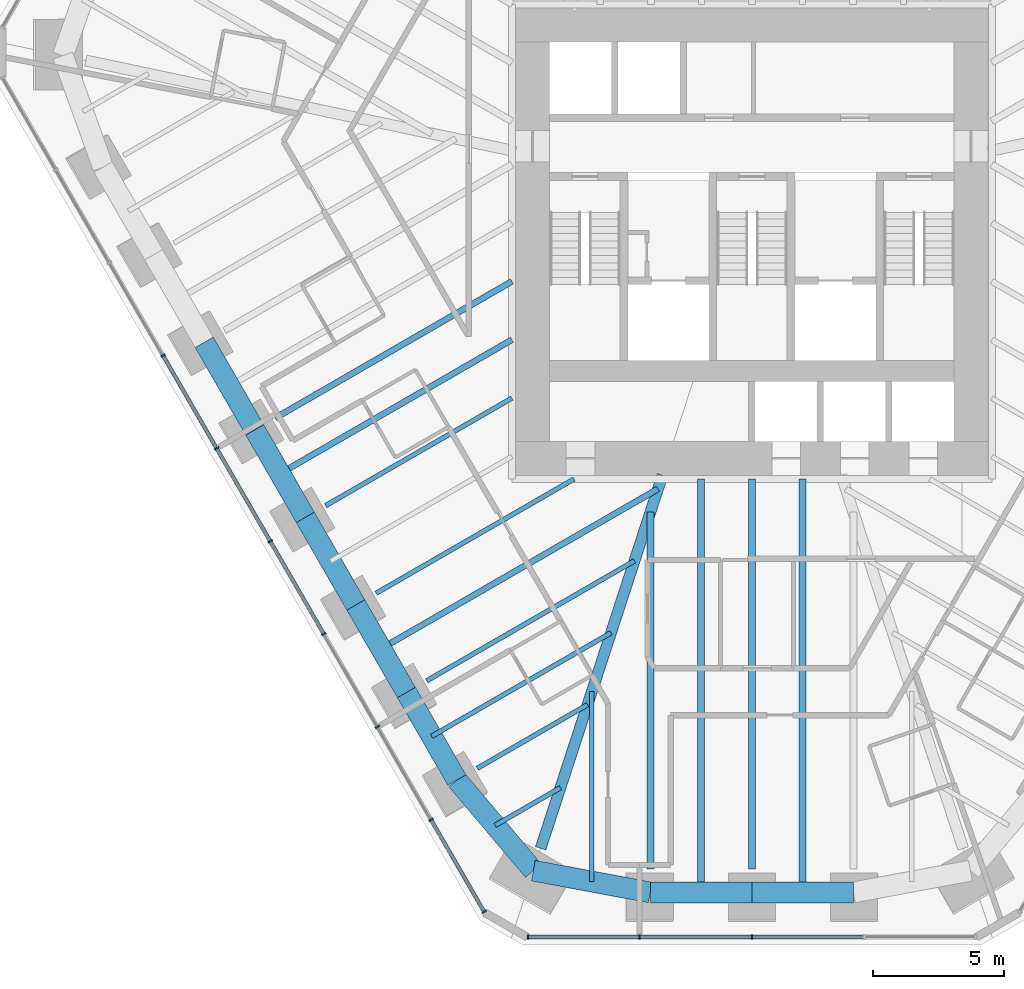
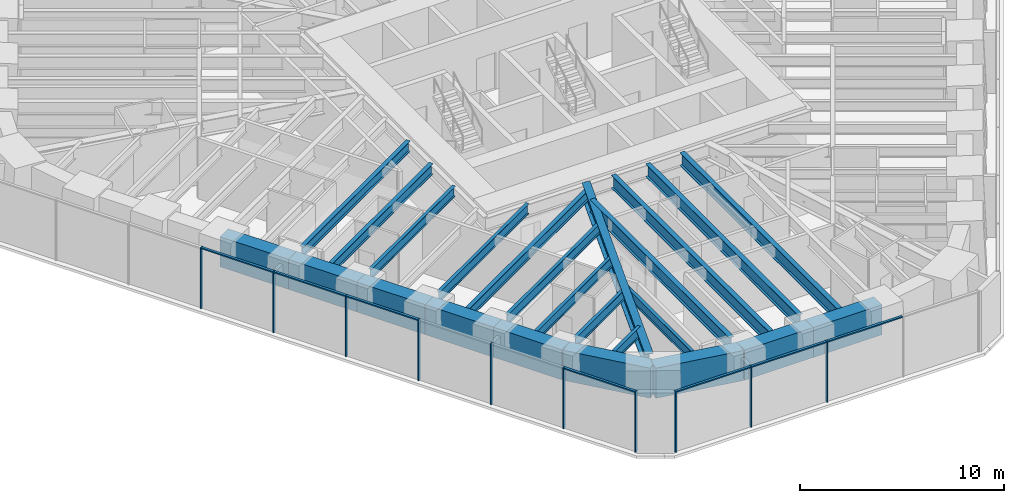
# One storey, part 2 of 18: 24 beams, 17 members, 2 elements without a shape of their own.
"""IFC4 building model written with IfcOpenShell, lengths in metres."""

from ifc_helpers import new_model, si_unit, direction, frame, origin, origin_2d, place, context, subcontext, project, spatial, rectangle, i_section, extrude, material, material_profile, profile_set, type_object, element, aggregate, save


model = new_model("IFC4")

# Units and contexts
model_context = context("Model", 3, precision=1e-05, world=origin(), true_north=direction((0.0, 1.0)))
body_context = subcontext(model_context, "Body", "Model", "MODEL_VIEW")
ifc_project = project(units=[si_unit("LENGTHUNIT", "METRE"), si_unit("AREAUNIT", "SQUARE_METRE"), si_unit("VOLUMEUNIT", "CUBIC_METRE"), si_unit("PLANEANGLEUNIT", "RADIAN"), si_unit("MASSUNIT", "GRAM", prefix="KILO")], contexts=[model_context])

# Site, building, storey
site_placement = place(None, origin())
site = spatial("IfcSite", under=ifc_project, at=site_placement, CompositionType="ELEMENT")
building_placement = place(site_placement, origin())
building = spatial("IfcBuilding", under=site, at=building_placement, Name="Sandreach Pilgrim Tower", CompositionType="ELEMENT")
storey_placement = place(building_placement, frame((0.0, 0.0, 153.800048828125)))
storey = spatial("IfcBuildingStorey", under=building, at=storey_placement, Name="L38", CompositionType="ELEMENT", Elevation=153.800048828125)

# Curtain wall, members
ifc_material_1 = material(Name="Aluminium framed curtain wall", Category="aluminium")
curtain_wall_type = type_object("IfcCurtainWallType", Name="Hotel tower curtain wall", PredefinedType="NOTDEFINED", material=ifc_material_1)
curtain_wall_1_placement = place(storey_placement, origin())
curtain_wall_1 = element("IfcCurtainWall", 1, at=curtain_wall_1_placement, inside=storey, type_object=curtain_wall_type, Name="CW-2 L38 S", PredefinedType="NOTDEFINED")
ifc_material_2 = material(Name="Aluminium extrusion", Category="aluminium")
ifc_material_profile_1 = material_profile(ifc_material_2, rectangle(XDim=0.06494140625, YDim=0.179931640625, at=origin_2d()), Name="CW-2M 65X180")
ifc_profile_set_1 = profile_set([ifc_material_profile_1], Name="Aluminium extrusion")
member_type_1 = type_object("IfcMemberType", Name="CW-2 mullion", PredefinedType="MULLION", material=ifc_profile_set_1)
member_1_placement = place(storey_placement, frame((0.0, -28.192138671875, 0.0), z_axis=(0.0, 0.0, 1.0), x_axis=(-1.0, 0.0, 0.0)))
member_1 = element("IfcMember", 2, at=member_1_placement, type_object=member_type_1, Name="CW-2 mullion 3", PredefinedType="MULLION", context=body_context, shape_type="SweptSolid", body=[
    extrude(rectangle(XDim=0.06494140625, YDim=0.179931640625, at=origin_2d()), origin(), (0.0, 0.0, 1.0), 3.639892578125),
])
member_2_placement = place(storey_placement, frame((-4.3056640625, -28.192138671875, 0.0), z_axis=(0.0, 0.0, 1.0), x_axis=(-1.0, 0.0, 0.0)))
member_2 = element("IfcMember", 3, at=member_2_placement, type_object=member_type_1, Name="CW-2 mullion 4", PredefinedType="MULLION", context=body_context, shape_type="SweptSolid", body=[
    extrude(rectangle(XDim=0.06494140625, YDim=0.179931640625, at=origin_2d()), origin(), (0.0, 0.0, 1.0), 3.639892578125),
])
member_3_placement = place(storey_placement, frame((-8.578857421875, -28.192138671875, 0.0), z_axis=(0.0, 0.0, 1.0), x_axis=(-1.0, 0.0, 0.0)))
member_3 = element("IfcMember", 4, at=member_3_placement, type_object=member_type_1, Name="CW-2 mullion 5", PredefinedType="MULLION", context=body_context, shape_type="SweptSolid", body=[
    extrude(rectangle(XDim=0.06494140625, YDim=0.179931640625, at=origin_2d()), origin(), (0.0, 0.0, 1.0), 3.639892578125),
])

curtain_wall_2_placement = place(storey_placement, origin())
curtain_wall_2 = element("IfcCurtainWall", 5, at=curtain_wall_2_placement, inside=storey, type_object=curtain_wall_type, Name="CW-2 L38 SW", PredefinedType="NOTDEFINED")
member_4_placement = place(storey_placement, frame((-10.255859375, -27.22412109375, 0.0), z_axis=(0.0, 0.0, 1.0), x_axis=(-0.5, 0.866025403784, 0.0)))
member_4 = element("IfcMember", 6, at=member_4_placement, type_object=member_type_1, Name="CW-2 mullion 1", PredefinedType="MULLION", context=body_context, shape_type="SweptSolid", body=[
    extrude(rectangle(XDim=0.06494140625, YDim=0.179931640625, at=origin_2d()), origin(), (0.0, 0.0, 1.0), 3.639892578125),
])
member_5_placement = place(storey_placement, frame((-12.29296875, -23.695556640625, 0.0), z_axis=(0.0, 0.0, 1.0), x_axis=(-0.5, 0.866025403784, 0.0)))
member_5 = element("IfcMember", 7, at=member_5_placement, type_object=member_type_1, Name="CW-2 mullion 2", PredefinedType="MULLION", context=body_context, shape_type="SweptSolid", body=[
    extrude(rectangle(XDim=0.06494140625, YDim=0.179931640625, at=origin_2d()), origin(), (0.0, 0.0, 1.0), 3.639892578125),
])
member_6_placement = place(storey_placement, frame((-14.346435546875, -20.138671875, 0.0), z_axis=(0.0, 0.0, 1.0), x_axis=(-0.5, 0.866025403784, 0.0)))
member_6 = element("IfcMember", 8, at=member_6_placement, type_object=member_type_1, Name="CW-2 mullion 3", PredefinedType="MULLION", context=body_context, shape_type="SweptSolid", body=[
    extrude(rectangle(XDim=0.06494140625, YDim=0.179931640625, at=origin_2d()), origin(), (0.0, 0.0, 1.0), 3.639892578125),
])
member_7_placement = place(storey_placement, frame((-16.39990234375, -16.58203125, 0.0), z_axis=(0.0, 0.0, 1.0), x_axis=(-0.5, 0.866025403784, 0.0)))
member_7 = element("IfcMember", 9, at=member_7_placement, type_object=member_type_1, Name="CW-2 mullion 4", PredefinedType="MULLION", context=body_context, shape_type="SweptSolid", body=[
    extrude(rectangle(XDim=0.06494140625, YDim=0.179931640625, at=origin_2d()), origin(), (0.0, 0.0, 1.0), 3.639892578125),
])
member_8_placement = place(storey_placement, frame((-18.453369140625, -13.025146484375, 0.0), z_axis=(0.0, 0.0, 1.0), x_axis=(-0.5, 0.866025403784, 0.0)))
member_8 = element("IfcMember", 10, at=member_8_placement, type_object=member_type_1, Name="CW-2 mullion 5", PredefinedType="MULLION", context=body_context, shape_type="SweptSolid", body=[
    extrude(rectangle(XDim=0.06494140625, YDim=0.179931640625, at=origin_2d()), origin(), (0.0, 0.0, 1.0), 3.639892578125),
])
member_9_placement = place(storey_placement, frame((-20.5068359375, -9.468505859375, 0.0), z_axis=(0.0, 0.0, 1.0), x_axis=(-0.5, 0.866025403784, 0.0)))
member_9 = element("IfcMember", 11, at=member_9_placement, type_object=member_type_1, Name="CW-2 mullion 6", PredefinedType="MULLION", context=body_context, shape_type="SweptSolid", body=[
    extrude(rectangle(XDim=0.06494140625, YDim=0.179931640625, at=origin_2d()), origin(), (0.0, 0.0, 1.0), 3.639892578125),
])
member_10_placement = place(storey_placement, frame((-22.560302734375, -5.911865234375, 0.0), z_axis=(0.0, 0.0, 1.0), x_axis=(-0.5, 0.866025403784, 0.0)))
member_10 = element("IfcMember", 12, at=member_10_placement, type_object=member_type_1, Name="CW-2 mullion 7", PredefinedType="MULLION", context=body_context, shape_type="SweptSolid", body=[
    extrude(rectangle(XDim=0.06494140625, YDim=0.179931640625, at=origin_2d()), origin(), (0.0, 0.0, 1.0), 3.639892578125),
])

# Member
ifc_material_3 = material(Name="Aluminium extrusion", Category="aluminium")
ifc_material_profile_2 = material_profile(ifc_material_3, rectangle(XDim=0.139892578125, YDim=0.070068359375, at=origin_2d()), Name="CW-2T 140X70")
ifc_profile_set_2 = profile_set([ifc_material_profile_2], Name="Aluminium extrusion")
member_type_2 = type_object("IfcMemberType", Name="CW-2 transom", PredefinedType="USERDEFINED", material=ifc_profile_set_2)
member_11_placement = place(storey_placement, frame((4.273193359375, -28.192138671875, 3.60498046875), z_axis=(-1.0, 0.0, 0.0), x_axis=(0.0, -1.0, 0.0)))
member_11 = element("IfcMember", 13, at=member_11_placement, type_object=member_type_2, Name="CW-2 head transom 2", ObjectType="TRANSOM", PredefinedType="USERDEFINED", context=body_context, shape_type="SweptSolid", body=[
    extrude(rectangle(XDim=0.139892578125, YDim=0.070068359375, at=origin_2d()), origin(), (0.0, 0.0, 1.0), 4.24072265625),
])

member_12_placement = place(storey_placement, frame((-0.032470703125, -28.192138671875, 3.60498046875), z_axis=(-1.0, 0.0, 0.0), x_axis=(0.0, -1.0, 0.0)))
member_12 = element("IfcMember", 14, at=member_12_placement, type_object=member_type_2, Name="CW-2 head transom 3", ObjectType="TRANSOM", PredefinedType="USERDEFINED", context=body_context, shape_type="SweptSolid", body=[
    extrude(rectangle(XDim=0.139892578125, YDim=0.070068359375, at=origin_2d()), origin(), (0.0, 0.0, 1.0), 4.24072265625),
])

member_13_placement = place(storey_placement, frame((-4.338134765625, -28.192138671875, 3.60498046875), z_axis=(-1.0, 0.0, 0.0), x_axis=(0.0, -1.0, 0.0)))
member_13 = element("IfcMember", 15, at=member_13_placement, type_object=member_type_2, Name="CW-2 head transom 4", ObjectType="TRANSOM", PredefinedType="USERDEFINED", context=body_context, shape_type="SweptSolid", body=[
    extrude(rectangle(XDim=0.139892578125, YDim=0.070068359375, at=origin_2d()), origin(), (0.0, 0.0, 1.0), 4.208251953125),
])

aggregate(curtain_wall_1, [member_1, member_2, member_3, member_11, member_12, member_13])

member_14_placement = place(storey_placement, frame((-10.27197265625, -27.196044921875, 3.60498046875), z_axis=(-0.500015851672, 0.866016251624, 0.0), x_axis=(-0.866016251624, -0.500015851672, 0.0)))
member_14 = element("IfcMember", 16, at=member_14_placement, type_object=member_type_2, Name="CW-2 head transom 1", ObjectType="TRANSOM", PredefinedType="USERDEFINED", context=body_context, shape_type="SweptSolid", body=[
    extrude(rectangle(XDim=0.139892578125, YDim=0.070068359375, at=origin_2d()), origin(), (0.0, 0.0, 1.0), 4.009521484375),
])

member_15_placement = place(storey_placement, frame((-16.416259765625, -16.553955078125, 3.60498046875), z_axis=(-0.499997818338, 0.866026663364, 0.0), x_axis=(-0.866026663364, -0.499997818338, 0.0)))
member_15 = element("IfcMember", 17, at=member_15_placement, type_object=member_type_2, Name="CW-2 head transom 4", ObjectType="TRANSOM", PredefinedType="USERDEFINED", context=body_context, shape_type="SweptSolid", body=[
    extrude(rectangle(XDim=0.139892578125, YDim=0.070068359375, at=origin_2d()), origin(), (0.0, 0.0, 1.0), 4.0419921875),
])

member_16_placement = place(storey_placement, frame((-18.4697265625, -12.9970703125, 3.60498046875), z_axis=(-0.499997818338, 0.866026663364, 0.0), x_axis=(-0.866026663364, -0.499997818338, 0.0)))
member_16 = element("IfcMember", 18, at=member_16_placement, type_object=member_type_2, Name="CW-2 head transom 5", ObjectType="TRANSOM", PredefinedType="USERDEFINED", context=body_context, shape_type="SweptSolid", body=[
    extrude(rectangle(XDim=0.139892578125, YDim=0.070068359375, at=origin_2d()), origin(), (0.0, 0.0, 1.0), 4.0419921875),
])

member_17_placement = place(storey_placement, frame((-20.523193359375, -9.4404296875, 3.60498046875), z_axis=(-0.499997818338, 0.866026663364, 0.0), x_axis=(-0.866026663364, -0.499997818338, 0.0)))
member_17 = element("IfcMember", 19, at=member_17_placement, type_object=member_type_2, Name="CW-2 head transom 6", ObjectType="TRANSOM", PredefinedType="USERDEFINED", context=body_context, shape_type="SweptSolid", body=[
    extrude(rectangle(XDim=0.139892578125, YDim=0.070068359375, at=origin_2d()), origin(), (0.0, 0.0, 1.0), 4.0419921875),
])

aggregate(curtain_wall_2, [member_4, member_5, member_6, member_7, member_8, member_9, member_10, member_14, member_15, member_16, member_17])

# Beams
ifc_material_4 = material(Name="Steel ASTM A992 Grade 50", Category="steel")
ifc_material_profile_3 = material_profile(ifc_material_4, i_section(OverallWidth=0.419189453125, OverallDepth=0.927001953125, WebThickness=0.019287109375, FlangeThickness=0.031982421875, at=origin_2d()), Name="W36X231")
ifc_profile_set_3 = profile_set([ifc_material_profile_3], Name="Steel ASTM A992 Grade 50")
beam_type_1 = type_object("IfcBeamType", Name="Corner girder W36X231", PredefinedType="BEAM", material=ifc_profile_set_3)
beam_1_placement = place(storey_placement, frame((-8.09326171875, -24.79345703125, 3.176513671875), z_axis=(0.31031284441, 0.950634492639, 0.0), x_axis=(-0.950634492639, 0.31031284441, 0.0)))
element("IfcBeam", 20, at=beam_1_placement, inside=storey, type_object=beam_type_1, Name="BM L38 CG26", PredefinedType="BEAM", context=body_context, shape_type="SweptSolid", body=[
    extrude(i_section(OverallWidth=0.419189453125, OverallDepth=0.927001953125, WebThickness=0.019287109375, FlangeThickness=0.031982421875, at=origin_2d()), origin(), (0.0, 0.0, 1.0), 15.03564453125),
])
ifc_material_5 = material(Name="Steel ASTM A992 Grade 50", Category="steel")
ifc_material_profile_4 = material_profile(ifc_material_5, i_section(OverallWidth=0.1787109375, OverallDepth=0.60205078125, WebThickness=0.010986328125, FlangeThickness=0.014892578125, at=origin_2d()), Name="W24X62")
ifc_profile_set_4 = profile_set([ifc_material_profile_4], Name="Steel ASTM A992 Grade 50")
beam_type_2 = type_object("IfcBeamType", Name="Floor beam W24X62", PredefinedType="BEAM", material=ifc_profile_set_4)
beam_2_placement = place(storey_placement, frame((-10.52001953125, -21.727294921875, 3.3388671875), z_axis=(0.86602886455, 0.49999400573, 0.0), x_axis=(-0.49999400573, 0.86602886455, 0.0)))
element("IfcBeam", 21, at=beam_2_placement, inside=storey, type_object=beam_type_2, Name="BM L38 F27", PredefinedType="BEAM", context=body_context, shape_type="SweptSolid", body=[
    extrude(i_section(OverallWidth=0.1787109375, OverallDepth=0.60205078125, WebThickness=0.010986328125, FlangeThickness=0.014892578125, at=origin_2d()), origin(), (0.0, 0.0, 1.0), 4.876953125),
])
beam_3_placement = place(storey_placement, frame((-12.456787109375, -18.373046875, 3.3388671875), z_axis=(0.866034300541, 0.499984590049, 0.0), x_axis=(-0.499984590049, 0.866034300541, 0.0)))
element("IfcBeam", 22, at=beam_3_placement, inside=storey, type_object=beam_type_2, Name="BM L38 F28", PredefinedType="BEAM", context=body_context, shape_type="SweptSolid", body=[
    extrude(i_section(OverallWidth=0.1787109375, OverallDepth=0.60205078125, WebThickness=0.010986328125, FlangeThickness=0.014892578125, at=origin_2d()), origin(), (0.0, 0.0, 1.0), 9.190673828125),
])
beam_4_placement = place(storey_placement, frame((-14.393310546875, -15.018798828125, 3.3388671875), z_axis=(0.866019722239, 0.500009840597, 0.0), x_axis=(-0.500009840597, 0.866019722239, 0.0)))
element("IfcBeam", 23, at=beam_4_placement, inside=storey, type_object=beam_type_2, Name="BM L38 F29", PredefinedType="BEAM", context=body_context, shape_type="SweptSolid", body=[
    extrude(i_section(OverallWidth=0.1787109375, OverallDepth=0.60205078125, WebThickness=0.010986328125, FlangeThickness=0.014892578125, at=origin_2d()), origin(), (0.0, 0.0, 1.0), 8.750732421875),
])
beam_5_placement = place(storey_placement, frame((-16.330078125, -11.664306640625, 3.3388671875), z_axis=(0.866026725994, 0.499997709859, 0.0), x_axis=(-0.499997709859, 0.866026725994, 0.0)))
element("IfcBeam", 24, at=beam_5_placement, inside=storey, type_object=beam_type_2, Name="BM L38 F30", PredefinedType="BEAM", context=body_context, shape_type="SweptSolid", body=[
    extrude(i_section(OverallWidth=0.1787109375, OverallDepth=0.60205078125, WebThickness=0.010986328125, FlangeThickness=0.014892578125, at=origin_2d()), origin(), (0.0, 0.0, 1.0), 8.24072265625),
])
beam_6_placement = place(storey_placement, frame((-6.130859375, -26.06591796875, 3.3388671875), z_axis=(0.0, 1.0, 0.0), x_axis=(-1.0, 0.0, 0.0)))
element("IfcBeam", 25, at=beam_6_placement, inside=storey, type_object=beam_type_2, Name="BM L38 FM25", PredefinedType="BEAM", context=body_context, shape_type="SweptSolid", body=[
    extrude(i_section(OverallWidth=0.1787109375, OverallDepth=0.60205078125, WebThickness=0.010986328125, FlangeThickness=0.014892578125, at=origin_2d()), origin(), (0.0, 0.0, 1.0), 7.2841796875),
])
beam_7_placement = place(storey_placement, frame((-9.8359375, -23.9130859375, 3.3388671875), z_axis=(0.866044832787, 0.49996634647, 0.0), x_axis=(-0.49996634647, 0.866044832787, 0.0)))
element("IfcBeam", 26, at=beam_7_placement, inside=storey, type_object=beam_type_2, Name="BM L38 FM26", PredefinedType="BEAM", context=body_context, shape_type="SweptSolid", body=[
    extrude(i_section(OverallWidth=0.1787109375, OverallDepth=0.60205078125, WebThickness=0.010986328125, FlangeThickness=0.014892578125, at=origin_2d()), origin(), (0.0, 0.0, 1.0), 2.888427734375),
])
beam_8_placement = place(storey_placement, frame((-12.267822265625, -20.500244140625, 3.3388671875), z_axis=(0.866016990805, 0.500014571424, 0.0), x_axis=(-0.500014571424, 0.866016990805, 0.0)))
element("IfcBeam", 27, at=beam_8_placement, inside=storey, type_object=beam_type_2, Name="BM L38 FM27", PredefinedType="BEAM", context=body_context, shape_type="SweptSolid", body=[
    extrude(i_section(OverallWidth=0.1787109375, OverallDepth=0.60205078125, WebThickness=0.010986328125, FlangeThickness=0.014892578125, at=origin_2d()), origin(), (0.0, 0.0, 1.0), 7.933837890625),
])
ifc_material_6 = material(Name="Steel ASTM A992 Grade 50", Category="steel")
ifc_material_profile_5 = material_profile(ifc_material_6, i_section(OverallWidth=0.23046875, OverallDepth=0.6171875, WebThickness=0.01318359375, FlangeThickness=0.022216796875, at=origin_2d()), Name="W24X94")
ifc_profile_set_5 = profile_set([ifc_material_profile_5], Name="Steel ASTM A992 Grade 50")
beam_type_3 = type_object("IfcBeamType", Name="Floor beam W24X94", PredefinedType="BEAM", material=ifc_profile_set_5)
beam_9_placement = place(storey_placement, frame((-18.2666015625, -8.31005859375, 3.331298828125), z_axis=(0.86602182576, 0.50000619727, 0.0), x_axis=(-0.50000619727, 0.86602182576, 0.0)))
element("IfcBeam", 28, at=beam_9_placement, inside=storey, type_object=beam_type_3, Name="BM L38 F31", PredefinedType="BEAM", context=body_context, shape_type="SweptSolid", body=[
    extrude(i_section(OverallWidth=0.23046875, OverallDepth=0.6171875, WebThickness=0.01318359375, FlangeThickness=0.022216796875, at=origin_2d()), origin(), (0.0, 0.0, 1.0), 10.476806640625),
])
beam_10_placement = place(storey_placement, frame((-14.204345703125, -17.145751953125, 3.331298828125), z_axis=(0.866028900474, 0.499993943507, 0.0), x_axis=(-0.499993943507, 0.866028900474, 0.0)))
element("IfcBeam", 29, at=beam_10_placement, inside=storey, type_object=beam_type_3, Name="BM L38 FM28", PredefinedType="BEAM", context=body_context, shape_type="SweptSolid", body=[
    extrude(i_section(OverallWidth=0.23046875, OverallDepth=0.6171875, WebThickness=0.01318359375, FlangeThickness=0.022216796875, at=origin_2d()), origin(), (0.0, 0.0, 1.0), 12.247314453125),
])
beam_11_placement = place(storey_placement, frame((-18.07763671875, -10.437255859375, 3.331298828125), z_axis=(0.866023098503, 0.500003992843, 0.0), x_axis=(-0.500003992843, 0.866023098503, 0.0)))
element("IfcBeam", 30, at=beam_11_placement, inside=storey, type_object=beam_type_3, Name="BM L38 FM30", PredefinedType="BEAM", context=body_context, shape_type="SweptSolid", body=[
    extrude(i_section(OverallWidth=0.23046875, OverallDepth=0.6171875, WebThickness=0.01318359375, FlangeThickness=0.022216796875, at=origin_2d()), origin(), (0.0, 0.0, 1.0), 10.2587890625),
])
ifc_material_7 = material(Name="Steel ASTM A992 Grade 50", Category="steel")
ifc_material_profile_6 = material_profile(ifc_material_7, i_section(OverallWidth=0.2666015625, OverallDepth=0.761962890625, WebThickness=0.014404296875, FlangeThickness=0.021484375, at=origin_2d()), Name="W30X116")
ifc_profile_set_6 = profile_set([ifc_material_profile_6], Name="Steel ASTM A992 Grade 50")
beam_type_4 = type_object("IfcBeamType", Name="Floor beam W30X116", PredefinedType="BEAM", material=ifc_profile_set_6)
beam_12_placement = place(storey_placement, frame((0.0, -25.5830078125, 3.259033203125), z_axis=(0.0, 1.0, 0.0), x_axis=(-1.0, 0.0, 0.0)))
element("IfcBeam", 31, at=beam_12_placement, inside=storey, type_object=beam_type_4, Name="BM L38 F24", PredefinedType="BEAM", context=body_context, shape_type="SweptSolid", body=[
    extrude(i_section(OverallWidth=0.2666015625, OverallDepth=0.761962890625, WebThickness=0.014404296875, FlangeThickness=0.021484375, at=origin_2d()), origin(), (0.0, 0.0, 1.0), 14.939697265625),
])
beam_13_placement = place(storey_placement, frame((-3.88916015625, -25.5830078125, 3.259033203125), z_axis=(0.0, 1.0, 0.0), x_axis=(-1.0, 0.0, 0.0)))
element("IfcBeam", 32, at=beam_13_placement, inside=storey, type_object=beam_type_4, Name="BM L38 F25", PredefinedType="BEAM", context=body_context, shape_type="SweptSolid", body=[
    extrude(i_section(OverallWidth=0.2666015625, OverallDepth=0.761962890625, WebThickness=0.014404296875, FlangeThickness=0.021484375, at=origin_2d()), origin(), (0.0, 0.0, 1.0), 13.66845703125),
])
ifc_material_8 = material(Name="Steel ASTM A992 Grade 50", Category="steel")
ifc_material_profile_7 = material_profile(ifc_material_8, i_section(OverallWidth=0.2666015625, OverallDepth=0.77978515625, WebThickness=0.0166015625, FlangeThickness=0.030029296875, at=origin_2d()), Name="W30X148")
ifc_profile_set_7 = profile_set([ifc_material_profile_7], Name="Steel ASTM A992 Grade 50")
beam_type_5 = type_object("IfcBeamType", Name="Floor beam W30X148", PredefinedType="BEAM", material=ifc_profile_set_7)
for number, where, z_axis, x_axis, name in (
    (33, (1.944580078125, -26.48291015625, 3.25), (0.0, 1.0, 0.0), (-1.0, 0.0, 0.0), "BM L38 FM23"),
    (34, (-1.944580078125, -26.48291015625, 3.25), (0.0, 1.0, 0.0), (-1.0, 0.0, 0.0), "BM L38 FM24"),
):
    element("IfcBeam", number, at=place(storey_placement, frame(where, z_axis=z_axis, x_axis=x_axis)), inside=storey, type_object=beam_type_5, Name=name, PredefinedType="BEAM", context=body_context, shape_type="SweptSolid", body=[
        extrude(i_section(OverallWidth=0.2666015625, OverallDepth=0.77978515625, WebThickness=0.0166015625, FlangeThickness=0.030029296875, at=origin_2d()), origin(), (0.0, 0.0, 1.0), 15.839599609375),
    ])
ifc_material_9 = material(Name="Concrete 10000 psi", Category="concrete")
ifc_material_profile_8 = material_profile(ifc_material_9, rectangle(XDim=0.800048828125, YDim=1.800048828125, at=origin_2d()), Name="RC800X1800")
ifc_profile_set_8 = profile_set([ifc_material_profile_8], Name="Concrete 10000 psi")
beam_type_6 = type_object("IfcBeamType", Name="Spandrel beam RC800X1800", PredefinedType="SPANDREL", material=ifc_profile_set_8)
for number, where, z_axis, x_axis, name in (
    (35, (3.88916015625, -26.48291015625, 2.739990234375), (-1.0, 0.0, 0.0), (0.0, -1.0, 0.0), "BM L38 SP23"),
    (36, (0.0, -26.48291015625, 2.739990234375), (-1.0, 0.0, 0.0), (0.0, -1.0, 0.0), "BM L38 SP24"),
):
    element("IfcBeam", number, at=place(storey_placement, frame(where, z_axis=z_axis, x_axis=x_axis)), inside=storey, type_object=beam_type_6, Name=name, PredefinedType="SPANDREL", context=body_context, shape_type="SweptSolid", body=[
        extrude(rectangle(XDim=0.800048828125, YDim=1.800048828125, at=origin_2d()), origin(), (0.0, 0.0, 1.0), 3.88916015625),
    ])
beam_14_placement = place(storey_placement, frame((-3.88916015625, -26.48291015625, 2.739990234375), z_axis=(-0.983135422251, 0.1828790352, 0.0), x_axis=(-0.1828790352, -0.983135422251, 0.0)))
element("IfcBeam", 37, at=beam_14_placement, inside=storey, type_object=beam_type_6, Name="BM L38 SP25", PredefinedType="SPANDREL", context=body_context, shape_type="SweptSolid", body=[
    extrude(rectangle(XDim=0.800048828125, YDim=1.800048828125, at=origin_2d()), origin(), (0.0, 0.0, 1.0), 4.560302734375),
])
beam_15_placement = place(storey_placement, frame((-8.37255859375, -25.64892578125, 2.739990234375), z_axis=(-0.644610808932, 0.764510892668, 0.0), x_axis=(-0.764510892668, -0.644610808932, 0.0)))
element("IfcBeam", 38, at=beam_15_placement, inside=storey, type_object=beam_type_6, Name="BM L38 SP26", PredefinedType="SPANDREL", context=body_context, shape_type="SweptSolid", body=[
    extrude(rectangle(XDim=0.800048828125, YDim=1.800048828125, at=origin_2d()), origin(), (0.0, 0.0, 1.0), 4.540771484375),
])
for number, where, z_axis, x_axis, name in (
    (39, (-11.299560546875, -22.177490234375, 2.739990234375), (-0.499962526042, 0.866047038303, 0.0), (-0.866047038303, -0.499962526042, 0.0), "BM L38 SP27"),
    (40, (-13.236083984375, -18.822998046875, 2.739990234375), (-0.500037093476, 0.866003986797, 0.0), (-0.866003986797, -0.500037093476, 0.0), "BM L38 SP28"),
    (41, (-15.1728515625, -15.46875, 2.739990234375), (-0.499962526042, 0.866047038303, 0.0), (-0.866047038303, -0.499962526042, 0.0), "BM L38 SP29"),
    (42, (-17.109375, -12.1142578125, 2.739990234375), (-0.500037093476, 0.866003986797, 0.0), (-0.866003986797, -0.500037093476, 0.0), "BM L38 SP30"),
):
    element("IfcBeam", number, at=place(storey_placement, frame(where, z_axis=z_axis, x_axis=x_axis)), inside=storey, type_object=beam_type_6, Name=name, PredefinedType="SPANDREL", context=body_context, shape_type="SweptSolid", body=[
        extrude(rectangle(XDim=0.800048828125, YDim=1.800048828125, at=origin_2d()), origin(), (0.0, 0.0, 1.0), 3.873291015625),
    ])
beam_16_placement = place(storey_placement, frame((-19.046142578125, -8.760009765625, 2.739990234375), z_axis=(-0.499989819178, 0.866031281605, 0.0), x_axis=(-0.866031281605, -0.499989819178, 0.0)))
element("IfcBeam", 43, at=beam_16_placement, inside=storey, type_object=beam_type_6, Name="BM L38 SP31", PredefinedType="SPANDREL", context=body_context, shape_type="SweptSolid", body=[
    extrude(rectangle(XDim=0.800048828125, YDim=1.800048828125, at=origin_2d()), origin(), (0.0, 0.0, 1.0), 3.873046875),
])

save(model, "model.ifc")
